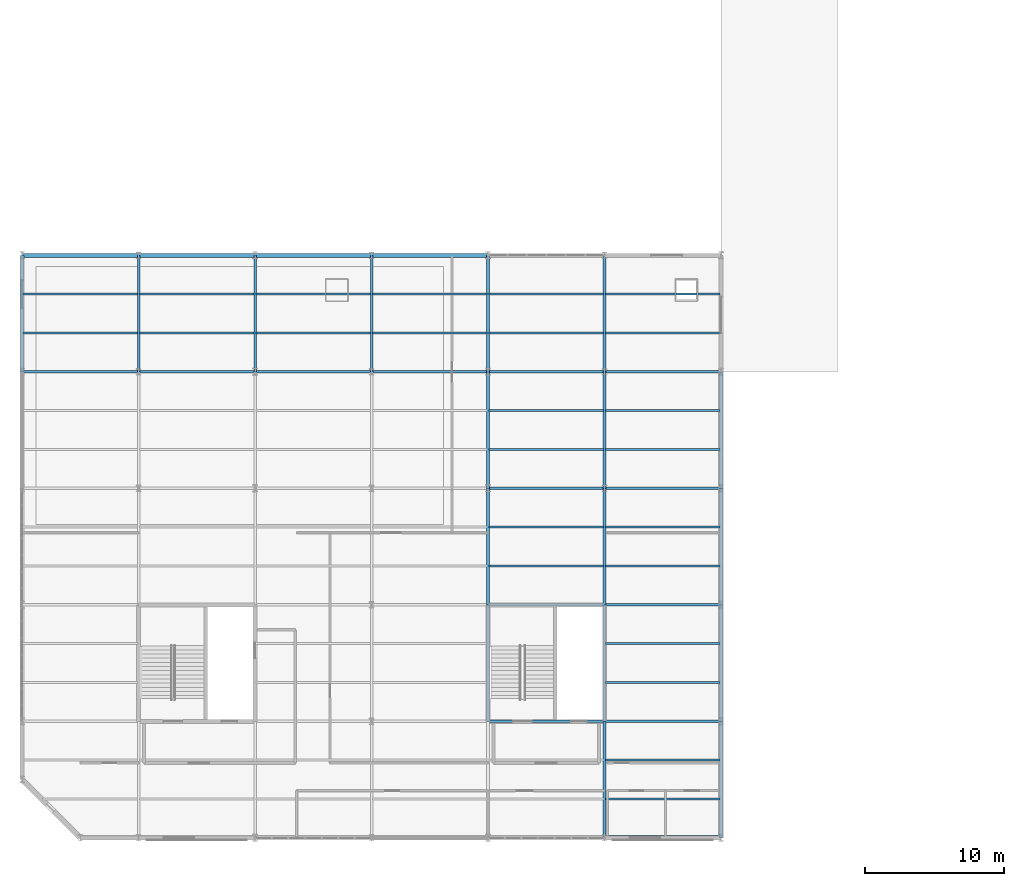
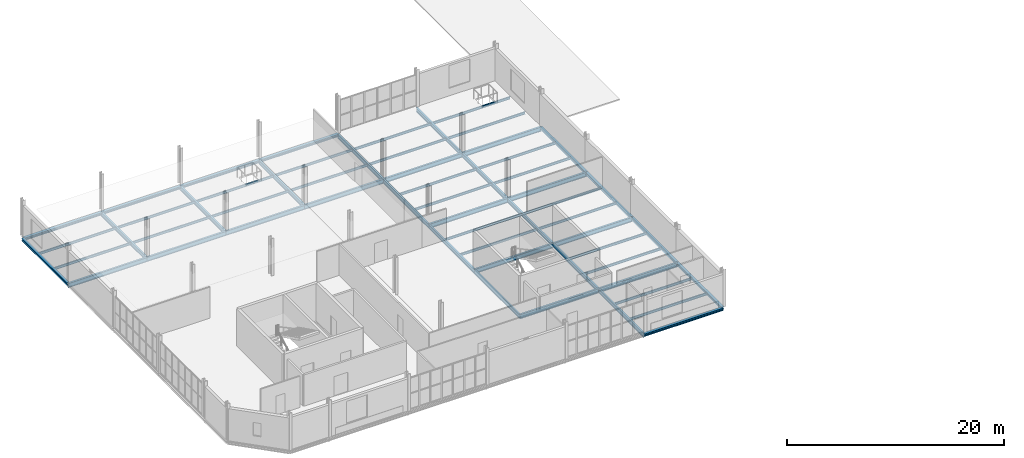
# One storey, part 25 of 69: 58 beams.
"""IFC4 building model written with IfcOpenShell, lengths in metres."""

from ifc_helpers import new_model, si_unit, direction, frame, origin, origin_2d, place, context, subcontext, project, spatial, i_section, extrude, material, material_profile, profile_set, type_object, element, save


model = new_model("IFC4")

# Units and contexts
model_context = context("Model", 3, precision=1e-05, world=origin(), true_north=direction((0.0, 1.0)))
body_context = subcontext(model_context, "Body", "Model", "MODEL_VIEW")
ifc_project = project(units=[si_unit("LENGTHUNIT", "METRE"), si_unit("AREAUNIT", "SQUARE_METRE"), si_unit("VOLUMEUNIT", "CUBIC_METRE"), si_unit("PLANEANGLEUNIT", "RADIAN"), si_unit("MASSUNIT", "GRAM", prefix="KILO")], contexts=[model_context])

# Site, building, storey
site_placement = place(None, origin())
site = spatial("IfcSite", under=ifc_project, at=site_placement, CompositionType="ELEMENT")
building_placement = place(site_placement, origin())
building = spatial("IfcBuilding", under=site, at=building_placement, Name="Qalvenar Corner Mobility Hub", CompositionType="ELEMENT")
storey_placement = place(building_placement, frame((0.0, 0.0, 13.199951171875)))
storey = spatial("IfcBuildingStorey", under=building, at=storey_placement, Name="L03", CompositionType="ELEMENT", Elevation=13.199951171875)

# Beams
ifc_material = material(Name="Steel S355", Category="steel")
ifc_material_profile_1 = material_profile(ifc_material, i_section(OverallWidth=0.18994140625, OverallDepth=0.449951171875, WebThickness=0.009521484375, FlangeThickness=0.0146484375, FilletRadius=0.02099609375, at=origin_2d()), Name="IPE450")
ifc_profile_set_1 = profile_set([ifc_material_profile_1], Name="Steel S355")
beam_type_1 = type_object("IfcBeamType", Name="BM-IPE450", PredefinedType="BEAM", material=ifc_profile_set_1)
for number, where, z_axis, x_axis, name in (
    (1, (8.39990234375, 33.60009765625, -0.405029296875), (0.0, 1.0, 0.0), (-1.0, 0.0, 0.0), "Primary Steel Girder GY-2233"),
    (2, (16.800048828125, 33.60009765625, -0.405029296875), (0.0, 1.0, 0.0), (-1.0, 0.0, 0.0), "Primary Steel Girder GY-2238"),
    (3, (25.199951171875, 33.60009765625, -0.405029296875), (0.0, 1.0, 0.0), (-1.0, 0.0, 0.0), "Primary Steel Girder GY-2243"),
):
    element("IfcBeam", number, at=place(storey_placement, frame(where, z_axis=z_axis, x_axis=x_axis)), inside=storey, type_object=beam_type_1, Name=name, PredefinedType="BEAM", context=body_context, shape_type="SweptSolid", body=[
        extrude(i_section(OverallWidth=0.18994140625, OverallDepth=0.449951171875, WebThickness=0.009521484375, FlangeThickness=0.0146484375, FilletRadius=0.02099609375, at=origin_2d()), origin(), (0.0, 0.0, 1.0), 8.39990234375),
    ])
beam_1_placement = place(storey_placement, frame((33.60009765625, 8.39990234375, -0.405029296875), z_axis=(0.0, 1.0, 0.0), x_axis=(-1.0, 0.0, 0.0)))
element("IfcBeam", 4, at=beam_1_placement, inside=storey, type_object=beam_type_1, Name="Primary Steel Girder GY-2245", PredefinedType="BEAM", context=body_context, shape_type="SweptSolid", body=[
    extrude(i_section(OverallWidth=0.18994140625, OverallDepth=0.449951171875, WebThickness=0.009521484375, FlangeThickness=0.0146484375, FilletRadius=0.02099609375, at=origin_2d()), origin(), (0.0, 0.0, 1.0), 8.400146484375),
])
beam_2_placement = place(storey_placement, frame((33.60009765625, 16.800048828125, -0.405029296875), z_axis=(0.0, 1.0, 0.0), x_axis=(-1.0, 0.0, 0.0)))
element("IfcBeam", 5, at=beam_2_placement, inside=storey, type_object=beam_type_1, Name="Primary Steel Girder GY-2246", PredefinedType="BEAM", context=body_context, shape_type="SweptSolid", body=[
    extrude(i_section(OverallWidth=0.18994140625, OverallDepth=0.449951171875, WebThickness=0.009521484375, FlangeThickness=0.0146484375, FilletRadius=0.02099609375, at=origin_2d()), origin(), (0.0, 0.0, 1.0), 8.39990234375),
])
beam_3_placement = place(storey_placement, frame((33.60009765625, 25.199951171875, -0.405029296875), z_axis=(0.0, 1.0, 0.0), x_axis=(-1.0, 0.0, 0.0)))
element("IfcBeam", 6, at=beam_3_placement, inside=storey, type_object=beam_type_1, Name="Primary Steel Girder GY-2247", PredefinedType="BEAM", context=body_context, shape_type="SweptSolid", body=[
    extrude(i_section(OverallWidth=0.18994140625, OverallDepth=0.449951171875, WebThickness=0.009521484375, FlangeThickness=0.0146484375, FilletRadius=0.02099609375, at=origin_2d()), origin(), (0.0, 0.0, 1.0), 8.400146484375),
])
for number, where, z_axis, x_axis, name in (
    (7, (33.60009765625, 33.60009765625, -0.405029296875), (0.0, 1.0, 0.0), (-1.0, 0.0, 0.0), "Primary Steel Girder GY-2248"),
    (8, (42.0, 0.0, -0.405029296875), (0.0, 1.0, 0.0), (-1.0, 0.0, 0.0), "Primary Steel Girder GY-2249"),
):
    element("IfcBeam", number, at=place(storey_placement, frame(where, z_axis=z_axis, x_axis=x_axis)), inside=storey, type_object=beam_type_1, Name=name, PredefinedType="BEAM", context=body_context, shape_type="SweptSolid", body=[
        extrude(i_section(OverallWidth=0.18994140625, OverallDepth=0.449951171875, WebThickness=0.009521484375, FlangeThickness=0.0146484375, FilletRadius=0.02099609375, at=origin_2d()), origin(), (0.0, 0.0, 1.0), 8.39990234375),
    ])
beam_4_placement = place(storey_placement, frame((42.0, 8.39990234375, -0.405029296875), z_axis=(0.0, 1.0, 0.0), x_axis=(-1.0, 0.0, 0.0)))
element("IfcBeam", 9, at=beam_4_placement, inside=storey, type_object=beam_type_1, Name="Primary Steel Girder GY-2250", PredefinedType="BEAM", context=body_context, shape_type="SweptSolid", body=[
    extrude(i_section(OverallWidth=0.18994140625, OverallDepth=0.449951171875, WebThickness=0.009521484375, FlangeThickness=0.0146484375, FilletRadius=0.02099609375, at=origin_2d()), origin(), (0.0, 0.0, 1.0), 8.400146484375),
])
beam_5_placement = place(storey_placement, frame((42.0, 16.800048828125, -0.405029296875), z_axis=(0.0, 1.0, 0.0), x_axis=(-1.0, 0.0, 0.0)))
element("IfcBeam", 10, at=beam_5_placement, inside=storey, type_object=beam_type_1, Name="Primary Steel Girder GY-2251", PredefinedType="BEAM", context=body_context, shape_type="SweptSolid", body=[
    extrude(i_section(OverallWidth=0.18994140625, OverallDepth=0.449951171875, WebThickness=0.009521484375, FlangeThickness=0.0146484375, FilletRadius=0.02099609375, at=origin_2d()), origin(), (0.0, 0.0, 1.0), 8.39990234375),
])
beam_6_placement = place(storey_placement, frame((42.0, 25.199951171875, -0.405029296875), z_axis=(0.0, 1.0, 0.0), x_axis=(-1.0, 0.0, 0.0)))
element("IfcBeam", 11, at=beam_6_placement, inside=storey, type_object=beam_type_1, Name="Primary Steel Girder GY-2252", PredefinedType="BEAM", context=body_context, shape_type="SweptSolid", body=[
    extrude(i_section(OverallWidth=0.18994140625, OverallDepth=0.449951171875, WebThickness=0.009521484375, FlangeThickness=0.0146484375, FilletRadius=0.02099609375, at=origin_2d()), origin(), (0.0, 0.0, 1.0), 8.400146484375),
])
beam_7_placement = place(storey_placement, frame((42.0, 33.60009765625, -0.405029296875), z_axis=(0.0, 1.0, 0.0), x_axis=(-1.0, 0.0, 0.0)))
element("IfcBeam", 12, at=beam_7_placement, inside=storey, type_object=beam_type_1, Name="Primary Steel Girder GY-2253", PredefinedType="BEAM", context=body_context, shape_type="SweptSolid", body=[
    extrude(i_section(OverallWidth=0.18994140625, OverallDepth=0.449951171875, WebThickness=0.009521484375, FlangeThickness=0.0146484375, FilletRadius=0.02099609375, at=origin_2d()), origin(), (0.0, 0.0, 1.0), 8.39990234375),
])
ifc_material_profile_2 = material_profile(ifc_material, i_section(OverallWidth=0.199951171875, OverallDepth=0.5, WebThickness=0.01025390625, FlangeThickness=0.01611328125, FilletRadius=0.02099609375, at=origin_2d()), Name="IPE500")
ifc_profile_set_2 = profile_set([ifc_material_profile_2], Name="Steel S355")
beam_type_2 = type_object("IfcBeamType", Name="BM-IPE500", PredefinedType="BEAM", material=ifc_profile_set_2)
for number, where, z_axis, x_axis, name in (
    (13, (33.60009765625, 8.39990234375, -0.429931640625), (1.0, 0.0, 0.0), (0.0, 1.0, 0.0), "Primary Steel Girder GX-2198"),
    (14, (42.0, 8.39990234375, -0.429931640625), (1.0, 0.0, 0.0), (0.0, 1.0, 0.0), "Primary Steel Girder GX-2199"),
    (15, (33.60009765625, 16.800048828125, -0.429931640625), (1.0, 0.0, 0.0), (0.0, 1.0, 0.0), "Primary Steel Girder GX-2204"),
    (16, (42.0, 16.800048828125, -0.429931640625), (1.0, 0.0, 0.0), (0.0, 1.0, 0.0), "Primary Steel Girder GX-2205"),
    (17, (33.60009765625, 25.199951171875, -0.429931640625), (1.0, 0.0, 0.0), (0.0, 1.0, 0.0), "Primary Steel Girder GX-2210"),
    (18, (42.0, 25.199951171875, -0.429931640625), (1.0, 0.0, 0.0), (0.0, 1.0, 0.0), "Primary Steel Girder GX-2211"),
    (19, (0.0, 33.60009765625, -0.429931640625), (1.0, 0.0, 0.0), (0.0, 1.0, 0.0), "Primary Steel Girder GX-2212"),
):
    element("IfcBeam", number, at=place(storey_placement, frame(where, z_axis=z_axis, x_axis=x_axis)), inside=storey, type_object=beam_type_2, Name=name, PredefinedType="BEAM", context=body_context, shape_type="SweptSolid", body=[
        extrude(i_section(OverallWidth=0.199951171875, OverallDepth=0.5, WebThickness=0.01025390625, FlangeThickness=0.01611328125, FilletRadius=0.02099609375, at=origin_2d()), origin(), (0.0, 0.0, 1.0), 8.39990234375),
    ])
beam_8_placement = place(storey_placement, frame((8.39990234375, 33.60009765625, -0.429931640625), z_axis=(1.0, 0.0, 0.0), x_axis=(0.0, 1.0, 0.0)))
element("IfcBeam", 20, at=beam_8_placement, inside=storey, type_object=beam_type_2, Name="Primary Steel Girder GX-2213", PredefinedType="BEAM", context=body_context, shape_type="SweptSolid", body=[
    extrude(i_section(OverallWidth=0.199951171875, OverallDepth=0.5, WebThickness=0.01025390625, FlangeThickness=0.01611328125, FilletRadius=0.02099609375, at=origin_2d()), origin(), (0.0, 0.0, 1.0), 8.400146484375),
])
beam_9_placement = place(storey_placement, frame((16.800048828125, 33.60009765625, -0.429931640625), z_axis=(1.0, 0.0, 0.0), x_axis=(0.0, 1.0, 0.0)))
element("IfcBeam", 21, at=beam_9_placement, inside=storey, type_object=beam_type_2, Name="Primary Steel Girder GX-2214", PredefinedType="BEAM", context=body_context, shape_type="SweptSolid", body=[
    extrude(i_section(OverallWidth=0.199951171875, OverallDepth=0.5, WebThickness=0.01025390625, FlangeThickness=0.01611328125, FilletRadius=0.02099609375, at=origin_2d()), origin(), (0.0, 0.0, 1.0), 8.39990234375),
])
beam_10_placement = place(storey_placement, frame((25.199951171875, 33.60009765625, -0.429931640625), z_axis=(1.0, 0.0, 0.0), x_axis=(0.0, 1.0, 0.0)))
element("IfcBeam", 22, at=beam_10_placement, inside=storey, type_object=beam_type_2, Name="Primary Steel Girder GX-2215", PredefinedType="BEAM", context=body_context, shape_type="SweptSolid", body=[
    extrude(i_section(OverallWidth=0.199951171875, OverallDepth=0.5, WebThickness=0.01025390625, FlangeThickness=0.01611328125, FilletRadius=0.02099609375, at=origin_2d()), origin(), (0.0, 0.0, 1.0), 8.400146484375),
])
for number, where, z_axis, x_axis, name in (
    (23, (33.60009765625, 33.60009765625, -0.429931640625), (1.0, 0.0, 0.0), (0.0, 1.0, 0.0), "Primary Steel Girder GX-2216"),
    (24, (42.0, 33.60009765625, -0.429931640625), (1.0, 0.0, 0.0), (0.0, 1.0, 0.0), "Primary Steel Girder GX-2217"),
):
    element("IfcBeam", number, at=place(storey_placement, frame(where, z_axis=z_axis, x_axis=x_axis)), inside=storey, type_object=beam_type_2, Name=name, PredefinedType="BEAM", context=body_context, shape_type="SweptSolid", body=[
        extrude(i_section(OverallWidth=0.199951171875, OverallDepth=0.5, WebThickness=0.01025390625, FlangeThickness=0.01611328125, FilletRadius=0.02099609375, at=origin_2d()), origin(), (0.0, 0.0, 1.0), 8.39990234375),
    ])
ifc_material_profile_3 = material_profile(ifc_material, i_section(OverallWidth=0.135009765625, OverallDepth=0.27001953125, WebThickness=0.006591796875, FlangeThickness=0.01025390625, FilletRadius=0.014892578125, at=origin_2d()), Name="IPE270")
ifc_profile_set_3 = profile_set([ifc_material_profile_3], Name="Steel S355")
beam_type_3 = type_object("IfcBeamType", Name="BM-JST270", PredefinedType="JOIST", material=ifc_profile_set_3)
for number, where, z_axis, x_axis, name in (
    (25, (0.077880859375, 36.39990234375, -0.31494140625), (1.0, 0.0, 0.0), (0.0, 1.0, 0.0), "Composite Floor Joist J-2268"),
    (26, (0.077880859375, 39.199951171875, -0.31494140625), (1.0, 0.0, 0.0), (0.0, 1.0, 0.0), "Composite Floor Joist J-2269"),
):
    element("IfcBeam", number, at=place(storey_placement, frame(where, z_axis=z_axis, x_axis=x_axis)), inside=storey, type_object=beam_type_3, Name=name, PredefinedType="JOIST", context=body_context, shape_type="SweptSolid", body=[
        extrude(i_section(OverallWidth=0.135009765625, OverallDepth=0.27001953125, WebThickness=0.006591796875, FlangeThickness=0.01025390625, FilletRadius=0.014892578125, at=origin_2d()), origin(), (0.0, 0.0, 1.0), 8.244140625),
    ])
for number, where, z_axis, x_axis, name in (
    (27, (8.47802734375, 36.39990234375, -0.31494140625), (1.0, 0.0, 0.0), (0.0, 1.0, 0.0), "Composite Floor Joist J-2276"),
    (28, (8.47802734375, 39.199951171875, -0.31494140625), (1.0, 0.0, 0.0), (0.0, 1.0, 0.0), "Composite Floor Joist J-2277"),
):
    element("IfcBeam", number, at=place(storey_placement, frame(where, z_axis=z_axis, x_axis=x_axis)), inside=storey, type_object=beam_type_3, Name=name, PredefinedType="JOIST", context=body_context, shape_type="SweptSolid", body=[
        extrude(i_section(OverallWidth=0.135009765625, OverallDepth=0.27001953125, WebThickness=0.006591796875, FlangeThickness=0.01025390625, FilletRadius=0.014892578125, at=origin_2d()), origin(), (0.0, 0.0, 1.0), 8.243896484375),
    ])
for number, where, z_axis, x_axis, name in (
    (29, (16.8779296875, 36.39990234375, -0.31494140625), (1.0, 0.0, 0.0), (0.0, 1.0, 0.0), "Composite Floor Joist J-2286"),
    (30, (16.8779296875, 39.199951171875, -0.31494140625), (1.0, 0.0, 0.0), (0.0, 1.0, 0.0), "Composite Floor Joist J-2287"),
):
    element("IfcBeam", number, at=place(storey_placement, frame(where, z_axis=z_axis, x_axis=x_axis)), inside=storey, type_object=beam_type_3, Name=name, PredefinedType="JOIST", context=body_context, shape_type="SweptSolid", body=[
        extrude(i_section(OverallWidth=0.135009765625, OverallDepth=0.27001953125, WebThickness=0.006591796875, FlangeThickness=0.01025390625, FilletRadius=0.014892578125, at=origin_2d()), origin(), (0.0, 0.0, 1.0), 8.244140625),
    ])
for number, where, z_axis, x_axis, name in (
    (31, (25.278076171875, 36.39990234375, -0.31494140625), (1.0, 0.0, 0.0), (0.0, 1.0, 0.0), "Composite Floor Joist J-2296"),
    (32, (25.278076171875, 39.199951171875, -0.31494140625), (1.0, 0.0, 0.0), (0.0, 1.0, 0.0), "Composite Floor Joist J-2297"),
):
    element("IfcBeam", number, at=place(storey_placement, frame(where, z_axis=z_axis, x_axis=x_axis)), inside=storey, type_object=beam_type_3, Name=name, PredefinedType="JOIST", context=body_context, shape_type="SweptSolid", body=[
        extrude(i_section(OverallWidth=0.135009765625, OverallDepth=0.27001953125, WebThickness=0.006591796875, FlangeThickness=0.01025390625, FilletRadius=0.014892578125, at=origin_2d()), origin(), (0.0, 0.0, 1.0), 8.243896484375),
    ])
for number, where, z_axis, x_axis, name in (
    (33, (33.677978515625, 19.60009765625, -0.31494140625), (1.0, 0.0, 0.0), (0.0, 1.0, 0.0), "Composite Floor Joist J-2300"),
    (34, (33.677978515625, 22.39990234375, -0.31494140625), (1.0, 0.0, 0.0), (0.0, 1.0, 0.0), "Composite Floor Joist J-2301"),
    (35, (33.677978515625, 28.0, -0.31494140625), (1.0, 0.0, 0.0), (0.0, 1.0, 0.0), "Composite Floor Joist J-2302"),
    (36, (33.677978515625, 30.800048828125, -0.31494140625), (1.0, 0.0, 0.0), (0.0, 1.0, 0.0), "Composite Floor Joist J-2303"),
    (37, (33.677978515625, 36.39990234375, -0.31494140625), (1.0, 0.0, 0.0), (0.0, 1.0, 0.0), "Composite Floor Joist J-2304"),
    (38, (33.677978515625, 39.199951171875, -0.31494140625), (1.0, 0.0, 0.0), (0.0, 1.0, 0.0), "Composite Floor Joist J-2305"),
    (39, (42.077880859375, 2.800048828125, -0.31494140625), (1.0, 0.0, 0.0), (0.0, 1.0, 0.0), "Composite Floor Joist J-2306"),
    (40, (42.077880859375, 5.60009765625, -0.31494140625), (1.0, 0.0, 0.0), (0.0, 1.0, 0.0), "Composite Floor Joist J-2307"),
    (41, (42.077880859375, 11.199951171875, -0.31494140625), (1.0, 0.0, 0.0), (0.0, 1.0, 0.0), "Composite Floor Joist J-2308"),
    (42, (42.077880859375, 14.0, -0.31494140625), (1.0, 0.0, 0.0), (0.0, 1.0, 0.0), "Composite Floor Joist J-2309"),
    (43, (42.077880859375, 19.60009765625, -0.31494140625), (1.0, 0.0, 0.0), (0.0, 1.0, 0.0), "Composite Floor Joist J-2310"),
    (44, (42.077880859375, 22.39990234375, -0.31494140625), (1.0, 0.0, 0.0), (0.0, 1.0, 0.0), "Composite Floor Joist J-2311"),
    (45, (42.077880859375, 28.0, -0.31494140625), (1.0, 0.0, 0.0), (0.0, 1.0, 0.0), "Composite Floor Joist J-2312"),
    (46, (42.077880859375, 30.800048828125, -0.31494140625), (1.0, 0.0, 0.0), (0.0, 1.0, 0.0), "Composite Floor Joist J-2313"),
    (47, (42.077880859375, 36.39990234375, -0.31494140625), (1.0, 0.0, 0.0), (0.0, 1.0, 0.0), "Composite Floor Joist J-2314"),
    (48, (42.077880859375, 39.199951171875, -0.31494140625), (1.0, 0.0, 0.0), (0.0, 1.0, 0.0), "Composite Floor Joist J-2315"),
):
    element("IfcBeam", number, at=place(storey_placement, frame(where, z_axis=z_axis, x_axis=x_axis)), inside=storey, type_object=beam_type_3, Name=name, PredefinedType="JOIST", context=body_context, shape_type="SweptSolid", body=[
        extrude(i_section(OverallWidth=0.135009765625, OverallDepth=0.27001953125, WebThickness=0.006591796875, FlangeThickness=0.01025390625, FilletRadius=0.014892578125, at=origin_2d()), origin(), (0.0, 0.0, 1.0), 8.244140625),
    ])
ifc_material_profile_4 = material_profile(ifc_material, i_section(OverallWidth=0.280029296875, OverallDepth=0.27001953125, WebThickness=0.008056640625, FlangeThickness=0.012939453125, FilletRadius=0.02392578125, at=origin_2d()), Name="HEA280")
ifc_profile_set_4 = profile_set([ifc_material_profile_4], Name="Steel S355")
beam_type_4 = type_object("IfcBeamType", Name="BM-SPN280", PredefinedType="SPANDREL", material=ifc_profile_set_4)
for number, where, z_axis, x_axis, name in (
    (49, (0.0, 33.60009765625, -0.31494140625), (0.0, 1.0, 0.0), (-1.0, 0.0, 0.0), "Primary Steel Girder GY-2228"),
    (50, (50.39990234375, 0.0, -0.31494140625), (0.0, 1.0, 0.0), (-1.0, 0.0, 0.0), "Primary Steel Girder GY-2254"),
):
    element("IfcBeam", number, at=place(storey_placement, frame(where, z_axis=z_axis, x_axis=x_axis)), inside=storey, type_object=beam_type_4, Name=name, PredefinedType="SPANDREL", context=body_context, shape_type="SweptSolid", body=[
        extrude(i_section(OverallWidth=0.280029296875, OverallDepth=0.27001953125, WebThickness=0.008056640625, FlangeThickness=0.012939453125, FilletRadius=0.02392578125, at=origin_2d()), origin(), (0.0, 0.0, 1.0), 8.39990234375),
    ])
beam_11_placement = place(storey_placement, frame((50.39990234375, 8.39990234375, -0.31494140625), z_axis=(0.0, 1.0, 0.0), x_axis=(-1.0, 0.0, 0.0)))
element("IfcBeam", 51, at=beam_11_placement, inside=storey, type_object=beam_type_4, Name="Primary Steel Girder GY-2255", PredefinedType="SPANDREL", context=body_context, shape_type="SweptSolid", body=[
    extrude(i_section(OverallWidth=0.280029296875, OverallDepth=0.27001953125, WebThickness=0.008056640625, FlangeThickness=0.012939453125, FilletRadius=0.02392578125, at=origin_2d()), origin(), (0.0, 0.0, 1.0), 8.400146484375),
])
beam_12_placement = place(storey_placement, frame((50.39990234375, 16.800048828125, -0.31494140625), z_axis=(0.0, 1.0, 0.0), x_axis=(-1.0, 0.0, 0.0)))
element("IfcBeam", 52, at=beam_12_placement, inside=storey, type_object=beam_type_4, Name="Primary Steel Girder GY-2256", PredefinedType="SPANDREL", context=body_context, shape_type="SweptSolid", body=[
    extrude(i_section(OverallWidth=0.280029296875, OverallDepth=0.27001953125, WebThickness=0.008056640625, FlangeThickness=0.012939453125, FilletRadius=0.02392578125, at=origin_2d()), origin(), (0.0, 0.0, 1.0), 8.39990234375),
])
beam_13_placement = place(storey_placement, frame((50.39990234375, 25.199951171875, -0.31494140625), z_axis=(0.0, 1.0, 0.0), x_axis=(-1.0, 0.0, 0.0)))
element("IfcBeam", 53, at=beam_13_placement, inside=storey, type_object=beam_type_4, Name="Primary Steel Girder GY-2257", PredefinedType="SPANDREL", context=body_context, shape_type="SweptSolid", body=[
    extrude(i_section(OverallWidth=0.280029296875, OverallDepth=0.27001953125, WebThickness=0.008056640625, FlangeThickness=0.012939453125, FilletRadius=0.02392578125, at=origin_2d()), origin(), (0.0, 0.0, 1.0), 8.400146484375),
])
ifc_material_profile_5 = material_profile(ifc_material, i_section(OverallWidth=0.300048828125, OverallDepth=0.2900390625, WebThickness=0.008544921875, FlangeThickness=0.013916015625, FilletRadius=0.027099609375, at=origin_2d()), Name="HEA300")
ifc_profile_set_5 = profile_set([ifc_material_profile_5], Name="Steel S355")
beam_type_5 = type_object("IfcBeamType", Name="BM-SPN300", PredefinedType="SPANDREL", material=ifc_profile_set_5)
for number, where, z_axis, x_axis, name in (
    (54, (42.0, 0.0, -0.324951171875), (1.0, 0.0, 0.0), (0.0, 1.0, 0.0), "Primary Steel Girder GX-2193"),
    (55, (0.0, 42.0, -0.324951171875), (1.0, 0.0, 0.0), (0.0, 1.0, 0.0), "Primary Steel Girder GX-2218"),
):
    element("IfcBeam", number, at=place(storey_placement, frame(where, z_axis=z_axis, x_axis=x_axis)), inside=storey, type_object=beam_type_5, Name=name, PredefinedType="SPANDREL", context=body_context, shape_type="SweptSolid", body=[
        extrude(i_section(OverallWidth=0.300048828125, OverallDepth=0.2900390625, WebThickness=0.008544921875, FlangeThickness=0.013916015625, FilletRadius=0.027099609375, at=origin_2d()), origin(), (0.0, 0.0, 1.0), 8.39990234375),
    ])
beam_14_placement = place(storey_placement, frame((8.39990234375, 42.0, -0.324951171875), z_axis=(1.0, 0.0, 0.0), x_axis=(0.0, 1.0, 0.0)))
element("IfcBeam", 56, at=beam_14_placement, inside=storey, type_object=beam_type_5, Name="Primary Steel Girder GX-2219", PredefinedType="SPANDREL", context=body_context, shape_type="SweptSolid", body=[
    extrude(i_section(OverallWidth=0.300048828125, OverallDepth=0.2900390625, WebThickness=0.008544921875, FlangeThickness=0.013916015625, FilletRadius=0.027099609375, at=origin_2d()), origin(), (0.0, 0.0, 1.0), 8.400146484375),
])
beam_15_placement = place(storey_placement, frame((16.800048828125, 42.0, -0.324951171875), z_axis=(1.0, 0.0, 0.0), x_axis=(0.0, 1.0, 0.0)))
element("IfcBeam", 57, at=beam_15_placement, inside=storey, type_object=beam_type_5, Name="Primary Steel Girder GX-2220", PredefinedType="SPANDREL", context=body_context, shape_type="SweptSolid", body=[
    extrude(i_section(OverallWidth=0.300048828125, OverallDepth=0.2900390625, WebThickness=0.008544921875, FlangeThickness=0.013916015625, FilletRadius=0.027099609375, at=origin_2d()), origin(), (0.0, 0.0, 1.0), 8.39990234375),
])
beam_16_placement = place(storey_placement, frame((25.199951171875, 42.0, -0.324951171875), z_axis=(1.0, 0.0, 0.0), x_axis=(0.0, 1.0, 0.0)))
element("IfcBeam", 58, at=beam_16_placement, inside=storey, type_object=beam_type_5, Name="Primary Steel Girder GX-2221", PredefinedType="SPANDREL", context=body_context, shape_type="SweptSolid", body=[
    extrude(i_section(OverallWidth=0.300048828125, OverallDepth=0.2900390625, WebThickness=0.008544921875, FlangeThickness=0.013916015625, FilletRadius=0.027099609375, at=origin_2d()), origin(), (0.0, 0.0, 1.0), 8.400146484375),
])

save(model, "model.ifc")
